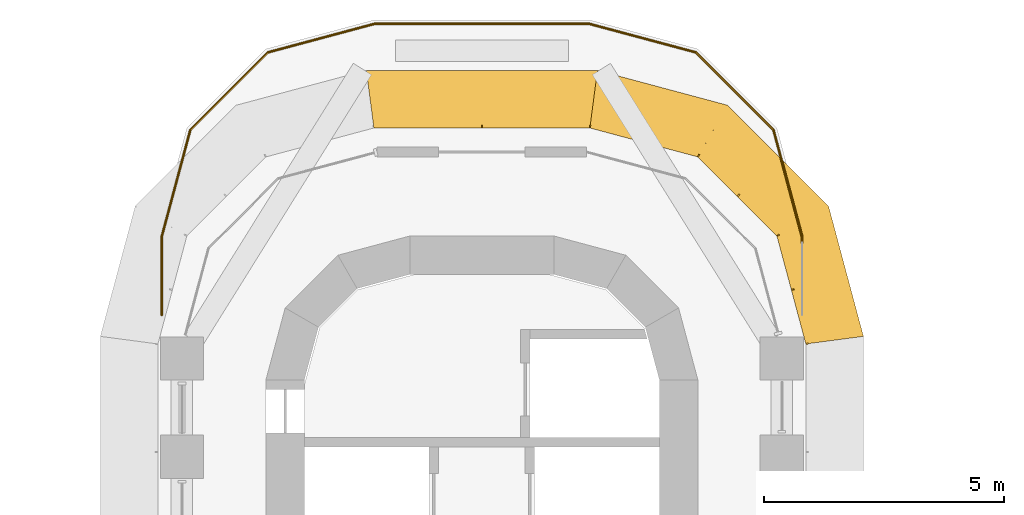
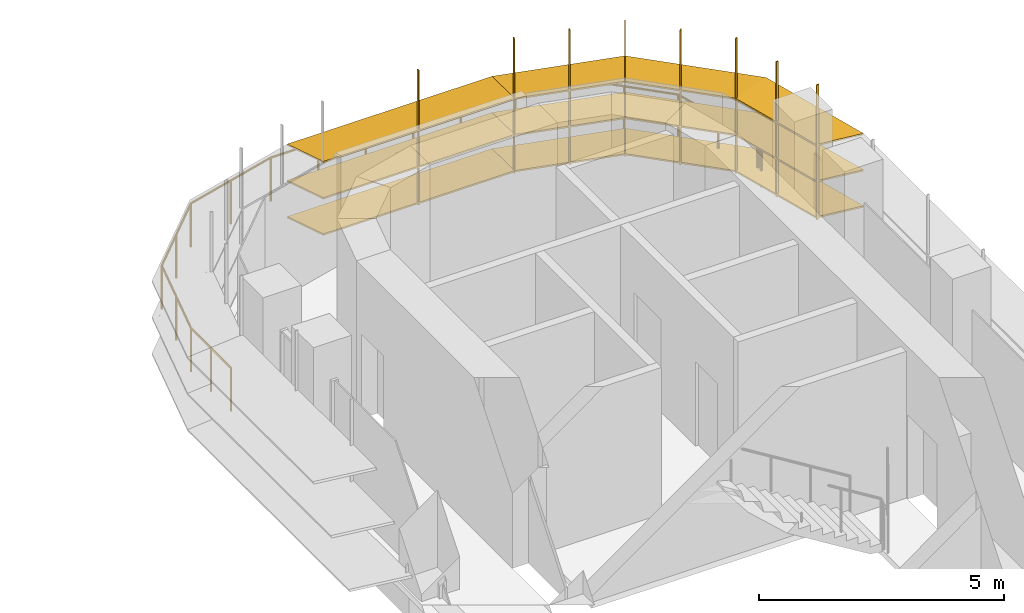
# One storey, part 22 of 22: 2 shading devices, 1 railing.
"""IFC4 building model written with IfcOpenShell, lengths in metres."""

from ifc_helpers import new_model, si_unit, direction, frame, origin, origin_2d, place, context, subcontext, project, spatial, polyline, circle, outline, extrude, faceted_brep, source, transform, mapped, material, type_object, element, save


model = new_model("IFC4")

# Units and contexts
model_context = context("Model", 3, precision=1e-05, world=origin(), true_north=direction((0.0, 1.0)))
body_context = subcontext(model_context, "Body", "Model", "MODEL_VIEW")
ifc_project = project(units=[si_unit("LENGTHUNIT", "METRE"), si_unit("AREAUNIT", "SQUARE_METRE"), si_unit("VOLUMEUNIT", "CUBIC_METRE"), si_unit("PLANEANGLEUNIT", "RADIAN"), si_unit("MASSUNIT", "GRAM", prefix="KILO")], contexts=[model_context])

# Site, building, storey
site_placement = place(None, origin())
site = spatial("IfcSite", under=ifc_project, at=site_placement, CompositionType="ELEMENT")
building_placement = place(site_placement, origin())
building = spatial("IfcBuilding", under=site, at=building_placement, Name="Zarbagh Exchange Tower", CompositionType="ELEMENT")
storey_placement = place(building_placement, frame((0.0, 0.0, 94.199951171875)))
storey = spatial("IfcBuildingStorey", under=building, at=storey_placement, Name="L21", CompositionType="ELEMENT", Elevation=94.199951171875)

# Railing
ifc_material_1 = material(Name="Stainless steel and laminated glass", Category="steel")
railing_type = type_object("IfcRailingType", Name="Terrace guard, glass balustrade 1.1 m", PredefinedType="GUARDRAIL", material=ifc_material_1)
railing_placement = place(storey_placement, frame((-6.669921875, 27.607666015625, 0.0)))
element("IfcRailing", 1, at=railing_placement, inside=storey, type_object=railing_type, Name="TG01 terrace guard", PredefinedType="GUARDRAIL", context=body_context, shape_type="SweptSolid", body=[
    extrude(circle(Radius=0.02490234375, at=origin_2d()), frame((0.0, 0.0, 1.0751953125), z_axis=(0.0, 1.0, 0.0), x_axis=(-1.0, 0.0, 0.0)), (0.0, 0.0, 1.0), 1.6318359375),
    extrude(circle(Radius=0.02490234375, at=origin_2d()), frame((0.0, 1.6318359375, 1.0751953125), z_axis=(0.258780353152, 0.965936192935, 0.0), x_axis=(-0.965936192935, 0.258780353152, 0.0)), (0.0, 0.0, 1.0), 2.29736328125),
    extrude(circle(Radius=0.02490234375, at=origin_2d()), frame((0.594482421875, 3.850830078125, 1.0751953125), z_axis=(0.707106781187, 0.707106781187, 0.0), x_axis=(-0.707106781187, 0.707106781187, 0.0)), (0.0, 0.0, 1.0), 2.28662109375),
    extrude(circle(Radius=0.02490234375, at=origin_2d()), frame((2.21142578125, 5.4677734375, 1.0751953125), z_axis=(0.965936192935, 0.258780353152, 0.0), x_axis=(-0.258780353152, 0.965936192935, 0.0)), (0.0, 0.0, 1.0), 2.29736328125),
    extrude(circle(Radius=0.02490234375, at=origin_2d()), frame((4.430419921875, 6.062255859375, 1.0751953125), z_axis=(1.0, 0.0, 0.0), x_axis=(0.0, 1.0, 0.0)), (0.0, 0.0, 1.0), 4.47900390625),
    extrude(circle(Radius=0.02490234375, at=origin_2d()), frame((8.909423828125, 6.062255859375, 1.0751953125), z_axis=(0.965936192935, -0.258780353152, 0.0), x_axis=(0.258780353152, 0.965936192935, 0.0)), (0.0, 0.0, 1.0), 2.29736328125),
    extrude(circle(Radius=0.02490234375, at=origin_2d()), frame((11.12841796875, 5.4677734375, 1.0751953125), z_axis=(0.707106781187, -0.707106781187, 0.0), x_axis=(0.707106781187, 0.707106781187, 0.0)), (0.0, 0.0, 1.0), 2.28662109375),
    extrude(circle(Radius=0.02490234375, at=origin_2d()), frame((12.745361328125, 3.850830078125, 1.0751953125), z_axis=(0.258780353152, -0.965936192935, 0.0), x_axis=(0.965936192935, 0.258780353152, 0.0)), (0.0, 0.0, 1.0), 2.29736328125),
    extrude(circle(Radius=0.02490234375, at=origin_2d()), frame((13.33984375, 1.6318359375, 1.0751953125), z_axis=(0.0, -1.0, 0.0), x_axis=(1.0, 0.0, 0.0)), (0.0, 0.0, 1.0), 0.126708984375),
    extrude(circle(Radius=0.02490234375, at=origin_2d()), origin(), (0.0, 0.0, 1.0), 1.050048828125),
    extrude(circle(Radius=0.02490234375, at=origin_2d()), frame((0.0, 0.81591796875, 0.0)), (0.0, 0.0, 1.0), 1.050048828125),
    extrude(circle(Radius=0.02490234375, at=origin_2d()), frame((0.0, 1.6318359375, 0.0)), (0.0, 0.0, 1.0), 1.050048828125),
    extrude(circle(Radius=0.02490234375, at=origin_2d()), frame((0.29736328125, 2.7412109375, 0.0)), (0.0, 0.0, 1.0), 1.050048828125),
    extrude(circle(Radius=0.02490234375, at=origin_2d()), frame((0.594482421875, 3.850830078125, 0.0)), (0.0, 0.0, 1.0), 1.050048828125),
    extrude(circle(Radius=0.02490234375, at=origin_2d()), frame((1.40283203125, 4.6591796875, 0.0)), (0.0, 0.0, 1.0), 1.050048828125),
    extrude(circle(Radius=0.02490234375, at=origin_2d()), frame((2.21142578125, 5.4677734375, 0.0)), (0.0, 0.0, 1.0), 1.050048828125),
    extrude(circle(Radius=0.02490234375, at=origin_2d()), frame((3.32080078125, 5.76513671875, 0.0)), (0.0, 0.0, 1.0), 1.050048828125),
    extrude(circle(Radius=0.02490234375, at=origin_2d()), frame((4.430419921875, 6.062255859375, 0.0)), (0.0, 0.0, 1.0), 1.050048828125),
    extrude(circle(Radius=0.02490234375, at=origin_2d()), frame((5.55029296875, 6.062255859375, 0.0)), (0.0, 0.0, 1.0), 1.050048828125),
    extrude(circle(Radius=0.02490234375, at=origin_2d()), frame((6.669921875, 6.062255859375, 0.0)), (0.0, 0.0, 1.0), 1.050048828125),
    extrude(circle(Radius=0.02490234375, at=origin_2d()), frame((7.78955078125, 6.062255859375, 0.0)), (0.0, 0.0, 1.0), 1.050048828125),
    extrude(circle(Radius=0.02490234375, at=origin_2d()), frame((8.909423828125, 6.062255859375, 0.0)), (0.0, 0.0, 1.0), 1.050048828125),
    extrude(circle(Radius=0.02490234375, at=origin_2d()), frame((10.01904296875, 5.76513671875, 0.0)), (0.0, 0.0, 1.0), 1.050048828125),
    extrude(circle(Radius=0.02490234375, at=origin_2d()), frame((11.12841796875, 5.4677734375, 0.0)), (0.0, 0.0, 1.0), 1.050048828125),
    extrude(circle(Radius=0.02490234375, at=origin_2d()), frame((11.93701171875, 4.6591796875, 0.0)), (0.0, 0.0, 1.0), 1.050048828125),
    extrude(circle(Radius=0.02490234375, at=origin_2d()), frame((12.745361328125, 3.850830078125, 0.0)), (0.0, 0.0, 1.0), 1.050048828125),
    extrude(circle(Radius=0.02490234375, at=origin_2d()), frame((13.04248046875, 2.7412109375, 0.0)), (0.0, 0.0, 1.0), 1.050048828125),
    extrude(circle(Radius=0.02490234375, at=origin_2d()), frame((13.33984375, 1.6318359375, 0.0)), (0.0, 0.0, 1.0), 1.050048828125),
    extrude(circle(Radius=0.02490234375, at=origin_2d()), frame((13.33984375, 1.505126953125, 0.0)), (0.0, 0.0, 1.0), 1.050048828125),
])

# Shading devices
ifc_material_2 = material(Name="Anodised aluminium blades and brackets", Category="aluminium")
shading_device_type = type_object("IfcShadingDeviceType", Name="SUNSHADE louvre band, 11.25 degree blades", PredefinedType="JALOUSIE", material=ifc_material_2)
shared_shape_1 = source(origin(), body_context, "Body", "Brep", [
    faceted_brep([(0.0, 0.0, 0.0), (0.0, 0.0, -0.040771484375), (-0.157958984375, -1.199951171875, -0.279541015625), (-0.157958984375, -1.199951171875, -0.23876953125), (2.65087890625, -1.199951171875, -0.23876953125), (2.65087890625, -1.199951171875, -0.279541015625), (2.329345703125, 0.0, -0.040771484375), (2.329345703125, 0.0, 0.0)], [[[0, 1, 2, 3]], [[4, 5, 6, 7]], [[0, 7, 6, 1]], [[1, 6, 5, 2]], [[2, 5, 4, 3]], [[3, 4, 7, 0]]]),
])
shared_shape_2 = source(origin(), body_context, "Body", "Brep", [
    faceted_brep([(0.0, 0.0, 0.0), (0.0, 0.0, -0.040771484375), (-0.321533203125, -1.199951171875, -0.279541015625), (-0.321533203125, -1.199951171875, -0.23876953125), (2.65087890625, -1.199951171875, -0.23876953125), (2.65087890625, -1.199951171875, -0.279541015625), (2.329345703125, 0.0, -0.040771484375), (2.329345703125, 0.0, 0.0)], [[[0, 1, 2, 3]], [[4, 5, 6, 7]], [[0, 7, 6, 1]], [[1, 6, 5, 2]], [[2, 5, 4, 3]], [[3, 4, 7, 0]]]),
])
shared_shape_3 = source(origin(), body_context, "Body", "Brep", [
    faceted_brep([(0.0, 0.0, 0.0), (0.0, 0.0, -0.040771484375), (-0.321533203125, -1.199951171875, -0.279541015625), (-0.321533203125, -1.199951171875, -0.23876953125), (2.4873046875, -1.199951171875, -0.23876953125), (2.4873046875, -1.199951171875, -0.279541015625), (2.329345703125, 0.0, -0.040771484375), (2.329345703125, 0.0, 0.0)], [[[0, 1, 2, 3]], [[4, 5, 6, 7]], [[0, 7, 6, 1]], [[1, 6, 5, 2]], [[2, 5, 4, 3]], [[3, 4, 7, 0]]]),
])
shared_shape_4 = source(origin(), body_context, "Body", "SweptSolid", [
    extrude(outline(polyline([(0.0, -0.012451171875), (0.06005859375, -0.012451171875), (0.06005859375, 0.012451171875), (0.0, 0.012451171875), (0.0, -0.012451171875)])), origin(), (0.0, 0.0, 1.0), 3.350830078125),
])
placement = place(storey_placement, origin())
element("IfcShadingDevice", 2, at=placement, inside=storey, type_object=shading_device_type, Name="SS26 sunshade band", PredefinedType="JALOUSIE", context=body_context, shape_type="MappedRepresentation", body=[
    mapped(shared_shape_1, transform((6.75, 27.0, 2.300048828125), x_axis=(-0.258824779902, 0.965924289636, 0.0), y_axis=(-0.965924289636, -0.258824779902, 0.0), z_axis=(0.0, 0.0, 1.0))),
    mapped(shared_shape_1, transform((6.75, 27.0, 1.400146484375), x_axis=(-0.258824779902, 0.965924289636, 0.0), y_axis=(-0.965924289636, -0.258824779902, 0.0), z_axis=(0.0, 0.0, 1.0))),
    mapped(shared_shape_1, transform((6.75, 27.0, 0.5), x_axis=(-0.258824779902, 0.965924289636, 0.0), y_axis=(-0.965924289636, -0.258824779902, 0.0), z_axis=(0.0, 0.0, 1.0))),
    mapped(shared_shape_2, transform((6.147216796875, 29.25, 2.300048828125), x_axis=(-0.707106781187, 0.707106781187, 0.0), y_axis=(-0.707106781187, -0.707106781187, 0.0), z_axis=(0.0, 0.0, 1.0))),
    mapped(shared_shape_2, transform((6.147216796875, 29.25, 1.400146484375), x_axis=(-0.707106781187, 0.707106781187, 0.0), y_axis=(-0.707106781187, -0.707106781187, 0.0), z_axis=(0.0, 0.0, 1.0))),
    mapped(shared_shape_2, transform((6.147216796875, 29.25, 0.5), x_axis=(-0.707106781187, 0.707106781187, 0.0), y_axis=(-0.707106781187, -0.707106781187, 0.0), z_axis=(0.0, 0.0, 1.0))),
    mapped(shared_shape_3, transform((4.5, 30.897216796875, 2.300048828125), x_axis=(-0.965924289636, 0.258824779902, 0.0), y_axis=(-0.258824779902, -0.965924289636, 0.0), z_axis=(0.0, 0.0, 1.0))),
    mapped(shared_shape_3, transform((4.5, 30.897216796875, 1.400146484375), x_axis=(-0.965924289636, 0.258824779902, 0.0), y_axis=(-0.258824779902, -0.965924289636, 0.0), z_axis=(0.0, 0.0, 1.0))),
    mapped(shared_shape_3, transform((4.5, 30.897216796875, 0.5), x_axis=(-0.965924289636, 0.258824779902, 0.0), y_axis=(-0.258824779902, -0.965924289636, 0.0), z_axis=(0.0, 0.0, 1.0))),
    mapped(shared_shape_4, transform((6.75, 27.0, 0.42919921875), x_axis=(0.991444457092, 0.130529263012, 0.0), y_axis=(-0.130529263012, 0.991444457092, 0.0), z_axis=(0.0, 0.0, 1.0))),
    mapped(shared_shape_4, transform((6.448486328125, 28.125, 0.42919921875), x_axis=(0.96592421511, 0.258825058029, 0.0), y_axis=(-0.258825058029, 0.96592421511, 0.0), z_axis=(0.0, 0.0, 1.0))),
    mapped(shared_shape_4, transform((6.147216796875, 29.25, 0.42919921875), x_axis=(0.866023812018, 0.50000275701, 0.0), y_axis=(-0.50000275701, 0.866023812018, 0.0), z_axis=(0.0, 0.0, 1.0))),
    mapped(shared_shape_4, transform((5.323486328125, 30.073486328125, 0.42919921875), x_axis=(0.707106781187, 0.707106781187, 0.0), y_axis=(-0.707106781187, 0.707106781187, 0.0), z_axis=(0.0, 0.0, 1.0))),
    mapped(shared_shape_4, transform((4.5, 30.897216796875, 0.42919921875), x_axis=(0.50000275701, 0.866023812018, 0.0), y_axis=(-0.866023812018, 0.50000275701, 0.0), z_axis=(0.0, 0.0, 1.0))),
    mapped(shared_shape_4, transform((3.375, 31.198486328125, 0.42919921875), x_axis=(0.258825058029, 0.96592421511, 0.0), y_axis=(-0.96592421511, 0.258825058029, 0.0), z_axis=(0.0, 0.0, 1.0))),
])
shared_shape_5 = source(origin(), body_context, "Body", "Brep", [
    faceted_brep([(0.0, 0.0, 0.0), (0.0, 0.0, -0.040771484375), (-0.157958984375, -1.199951171875, -0.279541015625), (-0.157958984375, -1.199951171875, -0.23876953125), (4.657958984375, -1.199951171875, -0.23876953125), (4.657958984375, -1.199951171875, -0.279541015625), (4.5, 0.0, -0.040771484375), (4.5, 0.0, 0.0)], [[[0, 1, 2, 3]], [[4, 5, 6, 7]], [[0, 7, 6, 1]], [[1, 6, 5, 2]], [[2, 5, 4, 3]], [[3, 4, 7, 0]]]),
])
element("IfcShadingDevice", 3, at=placement, inside=storey, type_object=shading_device_type, Name="SS27 sunshade band", PredefinedType="JALOUSIE", context=body_context, shape_type="MappedRepresentation", body=[
    mapped(shared_shape_5, transform((2.25, 31.5, 2.300048828125), x_axis=(-1.0, 0.0, 0.0), y_axis=(0.0, -1.0, 0.0), z_axis=(0.0, 0.0, 1.0))),
    mapped(shared_shape_5, transform((2.25, 31.5, 1.400146484375), x_axis=(-1.0, 0.0, 0.0), y_axis=(0.0, -1.0, 0.0), z_axis=(0.0, 0.0, 1.0))),
    mapped(shared_shape_5, transform((2.25, 31.5, 0.5), x_axis=(-1.0, 0.0, 0.0), y_axis=(0.0, -1.0, 0.0), z_axis=(0.0, 0.0, 1.0))),
    mapped(shared_shape_4, transform((2.25, 31.5, 0.42919921875), x_axis=(0.130529263012, 0.991444457092, 0.0), y_axis=(-0.991444457092, 0.130529263012, 0.0), z_axis=(0.0, 0.0, 1.0))),
    mapped(shared_shape_4, transform((0.0, 31.5, 0.42919921875), x_axis=(0.0, 1.0, 0.0), y_axis=(-1.0, 0.0, 0.0), z_axis=(0.0, 0.0, 1.0))),
])

save(model, "model.ifc")
